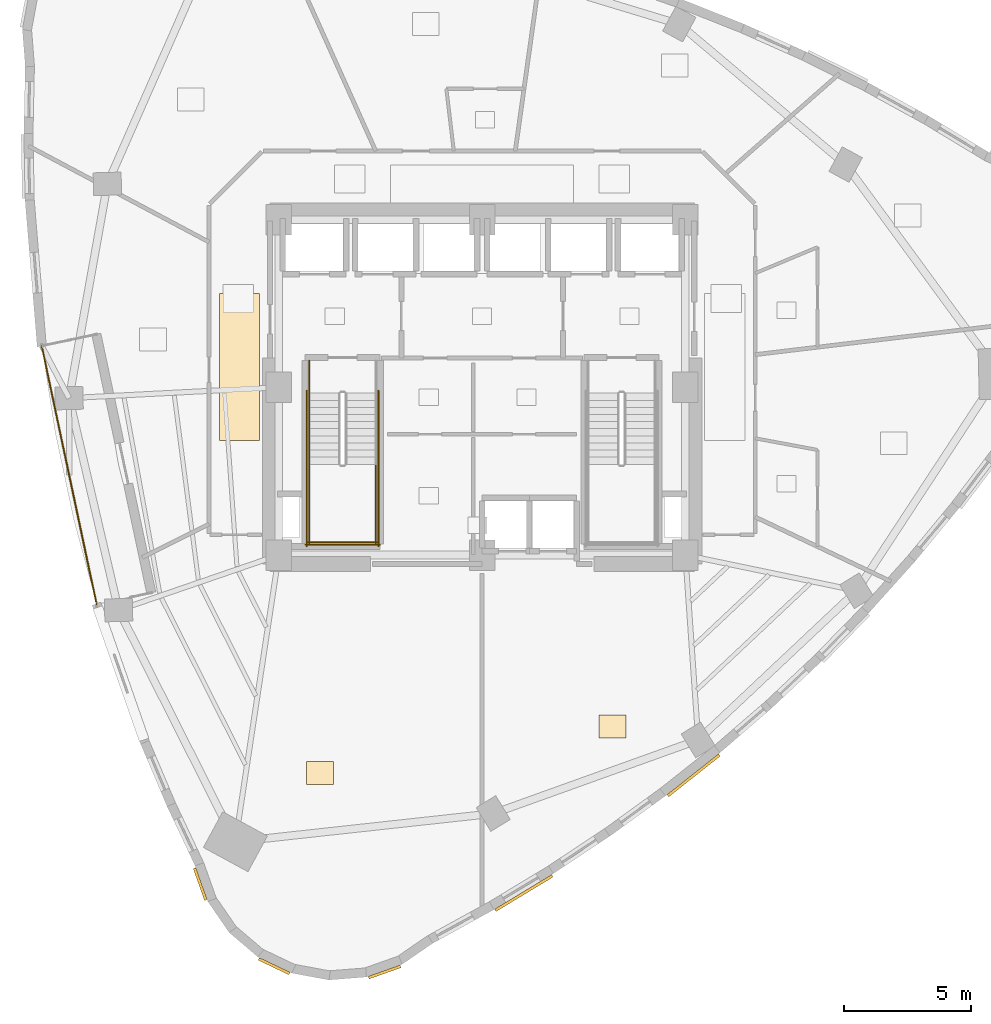
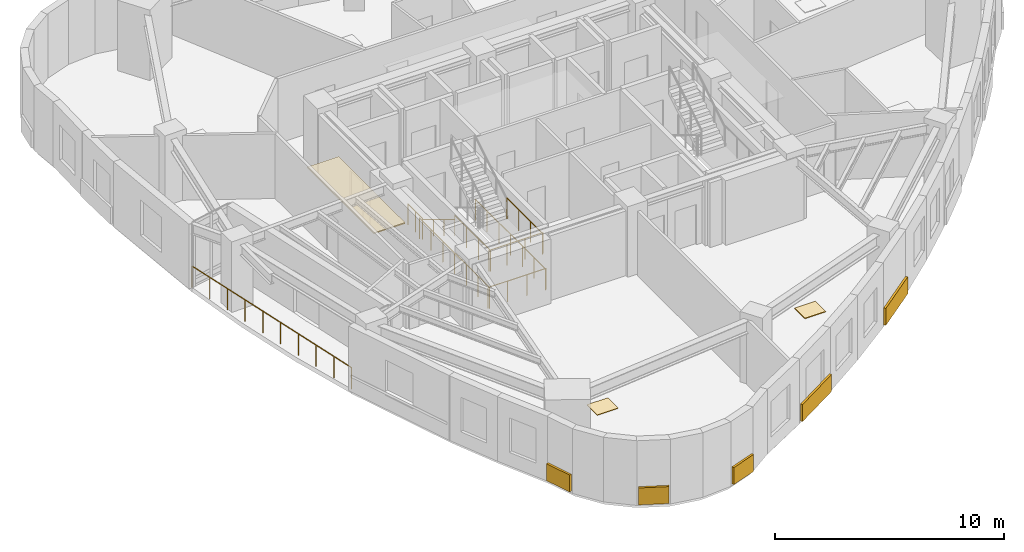
# One storey, part 10 of 12: 9 railings, 8 coverings.
"""IFC4 building model written with IfcOpenShell, lengths in metres."""

from ifc_helpers import new_model, si_unit, direction, frame, origin, origin_2d, place, context, subcontext, project, spatial, rectangle, circle, extrude, material, layer, layer_set, type_object, element, save


model = new_model("IFC4")

# Units and contexts
model_context = context("Model", 3, precision=1e-05, world=origin(), true_north=direction((0.0, 1.0)))
body_context = subcontext(model_context, "Body", "Model", "MODEL_VIEW")
ifc_project = project(units=[si_unit("LENGTHUNIT", "METRE"), si_unit("AREAUNIT", "SQUARE_METRE"), si_unit("VOLUMEUNIT", "CUBIC_METRE"), si_unit("PLANEANGLEUNIT", "RADIAN"), si_unit("MASSUNIT", "GRAM", prefix="KILO")], contexts=[model_context])

# Site, building, storey
site_placement = place(None, origin())
site = spatial("IfcSite", under=ifc_project, at=site_placement, CompositionType="ELEMENT")
building_placement = place(site_placement, origin())
building = spatial("IfcBuilding", under=site, at=building_placement, Name="Ndelora Gate Hotel", CompositionType="ELEMENT")
storey_placement = place(building_placement, frame((0.0, 0.0, 164.75)))
storey = spatial("IfcBuildingStorey", under=building, at=storey_placement, Name="L41", CompositionType="ELEMENT", Elevation=164.75)

# Coverings
ifc_material_1 = material(Name="Perforated Acoustic Gypsum Board", Category="gypsum")
ifc_layer_1 = layer(ifc_material_1, 0.054931640625)
ifc_layer_set_1 = layer_set([ifc_layer_1], Name="Perforated Acoustic Gypsum Board")
covering_type_1 = type_object("IfcCoveringType", Name="COV-CEIL-AC60", PredefinedType="CEILING", material=ifc_layer_set_1)
covering_1_placement = place(storey_placement, frame((-9.550048828125, 0.800048828125, 2.65234375), z_axis=(0.0, 0.0, 1.0), x_axis=(1.0, 0.0, 0.0)))
element("IfcCovering", 1, at=covering_1_placement, inside=storey, type_object=covering_type_1, Name="L41 Guest Corridor Acoustic Ceiling W", PredefinedType="CEILING", context=body_context, shape_type="SweptSolid", body=[
    extrude(rectangle(XDim=1.580078125, YDim=5.800048828125, at=origin_2d()), origin(), (0.0, 0.0, 1.0), 0.054931640625),
])
ifc_material_2 = material(Name="Terracotta Fired Clay Brick Slip Cladding", Category="masonry")
ifc_layer_2 = layer(ifc_material_2, 0.110107421875)
ifc_layer_set_2 = layer_set([ifc_layer_2], Name="Terracotta Fired Clay Brick Slip Cladding")
covering_type_2 = type_object("IfcCoveringType", Name="COV-CLAD-BRK", PredefinedType="CLADDING", material=ifc_layer_set_2)
for number, where, z_axis, x_axis, name in (
    (2, (-11.095703125, -19.550048828125, 0.10009765625), (0.0, 0.0, 1.0), (-0.333806859234, 0.942641491092, 0.0), "L41 Rounded-Corner Brick Cladding Band 19"),
    (3, (-8.18359375, -22.784423828125, 0.10009765625), (0.0, 0.0, 1.0), (-0.90258528435, 0.430511096808, 0.0), "L41 Rounded-Corner Brick Cladding Band 22"),
    (4, (-3.83740234375, -23.01220703125, 0.10009765625), (0.0, 0.0, 1.0), (0.942641491092, 0.333806859234, 0.0), "L41 Rounded-Corner Brick Cladding Band 25"),
):
    element("IfcCovering", number, at=place(storey_placement, frame(where, z_axis=z_axis, x_axis=x_axis)), inside=storey, type_object=covering_type_2, Name=name, PredefinedType="CLADDING", context=body_context, shape_type="SweptSolid", body=[
        extrude(rectangle(XDim=1.3359375, YDim=0.110107421875, at=origin_2d()), origin(), (0.0, 0.0, 1.0), 0.89990234375),
    ])
covering_2_placement = place(storey_placement, frame((1.642578125, -19.906005859375, 0.10009765625), z_axis=(0.0, 0.0, 1.0), x_axis=(0.855635381204, 0.517579070704, 0.0)))
element("IfcCovering", 5, at=covering_2_placement, inside=storey, type_object=covering_type_2, Name="L41 Rounded-Corner Brick Cladding Band 28", PredefinedType="CLADDING", context=body_context, shape_type="SweptSolid", body=[
    extrude(rectangle(XDim=2.6279296875, YDim=0.110107421875, at=origin_2d()), origin(), (0.0, 0.0, 1.0), 0.89990234375),
])
covering_3_placement = place(storey_placement, frame((8.324951171875, -15.2734375, 0.10009765625), z_axis=(0.0, 0.0, 1.0), x_axis=(0.784235212544, 0.620463642292, 0.0)))
element("IfcCovering", 6, at=covering_3_placement, inside=storey, type_object=covering_type_2, Name="L41 Rounded-Corner Brick Cladding Band 31", PredefinedType="CLADDING", context=body_context, shape_type="SweptSolid", body=[
    extrude(rectangle(XDim=2.583984375, YDim=0.110107421875, at=origin_2d()), origin(), (0.0, 0.0, 1.0), 0.89990234375),
])
ifc_material_3 = material(Name="Engineered Highland Oak Parquet", Category="wood")
ifc_layer_3 = layer(ifc_material_3, 0.030029296875)
ifc_layer_set_3 = layer_set([ifc_layer_3], Name="Engineered Highland Oak Parquet")
covering_type_3 = type_object("IfcCoveringType", Name="COV-FLR-PARQ", PredefinedType="FLOORING", material=ifc_layer_set_3)
for number, where, z_axis, x_axis, name in (
    (7, (-6.377197265625, -15.18408203125, 0.0), (0.0, 0.0, 1.0), (1.0, 0.0, 0.0), "L41 Executive Club Dining Room Oak Parquet Flooring"),
    (8, (5.130615234375, -13.35205078125, 0.0), (0.0, 0.0, 1.0), (1.0, 0.0, 0.0), "L41 Champagne Wine Bar Oak Parquet Flooring"),
):
    element("IfcCovering", number, at=place(storey_placement, frame(where, z_axis=z_axis, x_axis=x_axis)), inside=storey, type_object=covering_type_3, Name=name, PredefinedType="FLOORING", context=body_context, shape_type="SweptSolid", body=[
        extrude(rectangle(XDim=1.050048828125, YDim=0.89990234375, at=origin_2d()), origin(), (0.0, 0.0, 1.0), 0.030029296875),
    ])

# Railings
ifc_material_4 = material(Name="Laminated Safety Glass and Bronze Top Rail", Category="glass")
ifc_layer_4 = layer(ifc_material_4, 0.070068359375)
ifc_layer_set_4 = layer_set([ifc_layer_4], Name="Laminated Safety Glass and Bronze Top Rail")
railing_type_1 = type_object("IfcRailingType", Name="RL-BAL-1150", PredefinedType="BALUSTRADE", material=ifc_layer_set_4)
railing_1_placement = place(storey_placement, frame((-17.333740234375, 1.6318359375, 0.0)))
element("IfcRailing", 9, at=railing_1_placement, inside=storey, type_object=railing_type_1, Name="L41 Sky-Garden Loggia Terrace Balustrade", PredefinedType="BALUSTRADE", context=body_context, shape_type="SweptSolid", body=[
    extrude(circle(Radius=0.02392578125, at=origin_2d()), frame((0.0, 0.0, 1.1357421875), z_axis=(0.207916029829, -0.978146678438, 0.0), x_axis=(0.978146678438, 0.207916029829, 0.0)), (0.0, 0.0, 1.0), 10.400146484375),
    extrude(circle(Radius=0.02099609375, at=origin_2d()), origin(), (0.0, 0.0, 1.0), 1.11181640625),
    extrude(circle(Radius=0.02099609375, at=origin_2d()), frame((0.240234375, -1.13037109375, 0.0)), (0.0, 0.0, 1.0), 1.11181640625),
    extrude(circle(Radius=0.02099609375, at=origin_2d()), frame((0.48046875, -2.2607421875, 0.0)), (0.0, 0.0, 1.0), 1.11181640625),
    extrude(circle(Radius=0.02099609375, at=origin_2d()), frame((0.720703125, -3.390869140625, 0.0)), (0.0, 0.0, 1.0), 1.11181640625),
    extrude(circle(Radius=0.02099609375, at=origin_2d()), frame((0.9609375, -4.521240234375, 0.0)), (0.0, 0.0, 1.0), 1.11181640625),
    extrude(circle(Radius=0.02099609375, at=origin_2d()), frame((1.201416015625, -5.651611328125, 0.0)), (0.0, 0.0, 1.0), 1.11181640625),
    extrude(circle(Radius=0.02099609375, at=origin_2d()), frame((1.441650390625, -6.781982421875, 0.0)), (0.0, 0.0, 1.0), 1.11181640625),
    extrude(circle(Radius=0.02099609375, at=origin_2d()), frame((1.681884765625, -7.912109375, 0.0)), (0.0, 0.0, 1.0), 1.11181640625),
    extrude(circle(Radius=0.02099609375, at=origin_2d()), frame((1.922119140625, -9.04248046875, 0.0)), (0.0, 0.0, 1.0), 1.11181640625),
    extrude(circle(Radius=0.02099609375, at=origin_2d()), frame((2.162353515625, -10.1728515625, 0.0)), (0.0, 0.0, 1.0), 1.11181640625),
])
ifc_material_5 = material(Name="Painted Galvanized Steel Balustrade", Category="steel")
ifc_layer_5 = layer(ifc_material_5, 0.06005859375)
ifc_layer_set_5 = layer_set([ifc_layer_5], Name="Painted Galvanized Steel Balustrade")
railing_type_2 = type_object("IfcRailingType", Name="RL-STAIR-GD", PredefinedType="GUARDRAIL", material=ifc_layer_set_5)
for number, where, name in (
    (10, (-6.800048828125, -3.030029296875, 1.875), "L41 ST4 stair guard 3"),
    (11, (-4.179931640625, -3.030029296875, 1.875), "L41 ST4 stair guard 4"),
):
    element("IfcRailing", number, at=place(storey_placement, frame(where)), inside=storey, type_object=railing_type_2, Name=name, PredefinedType="GUARDRAIL", context=body_context, shape_type="SweptSolid", body=[
        extrude(circle(Radius=0.02392578125, at=origin_2d()), frame((0.0, 0.0, 1.10595703125), z_axis=(0.0, -1.0, 0.0), x_axis=(1.0, 0.0, 0.0)), (0.0, 0.0, 1.0), 3.119873046875),
        extrude(circle(Radius=0.02099609375, at=origin_2d()), origin(), (0.0, 0.0, 1.0), 1.081787109375),
        extrude(circle(Radius=0.02099609375, at=origin_2d()), frame((0.0, -1.0400390625, 0.0)), (0.0, 0.0, 1.0), 1.081787109375),
        extrude(circle(Radius=0.02099609375, at=origin_2d()), frame((0.0, -2.079833984375, 0.0)), (0.0, 0.0, 1.0), 1.081787109375),
        extrude(circle(Radius=0.02099609375, at=origin_2d()), frame((0.0, -3.119873046875, 0.0)), (0.0, 0.0, 1.0), 1.081787109375),
    ])
railing_2_placement = place(storey_placement, frame((-6.85009765625, -6.10009765625, 1.875)))
element("IfcRailing", 12, at=railing_2_placement, inside=storey, type_object=railing_type_2, Name="L41 ST4 stair guard 5", PredefinedType="GUARDRAIL", context=body_context, shape_type="SweptSolid", body=[
    extrude(circle(Radius=0.02392578125, at=origin_2d()), frame((0.0, 0.0, 1.10595703125), z_axis=(1.0, 0.0, 0.0), x_axis=(0.0, 1.0, 0.0)), (0.0, 0.0, 1.0), 2.72021484375),
    extrude(circle(Radius=0.02099609375, at=origin_2d()), origin(), (0.0, 0.0, 1.0), 1.081787109375),
    extrude(circle(Radius=0.02099609375, at=origin_2d()), frame((0.90673828125, 0.0, 0.0)), (0.0, 0.0, 1.0), 1.081787109375),
    extrude(circle(Radius=0.02099609375, at=origin_2d()), frame((1.8134765625, 0.0, 0.0)), (0.0, 0.0, 1.0), 1.081787109375),
    extrude(circle(Radius=0.02099609375, at=origin_2d()), frame((2.72021484375, 0.0, 0.0)), (0.0, 0.0, 1.0), 1.081787109375),
])
railing_3_placement = place(storey_placement, frame((-6.800048828125, 1.050048828125, 0.0)))
element("IfcRailing", 13, at=railing_3_placement, inside=storey, type_object=railing_type_2, Name="L41 ST4 stair guard 8", PredefinedType="GUARDRAIL", context=body_context, shape_type="SweptSolid", body=[
    extrude(circle(Radius=0.02392578125, at=origin_2d()), frame((0.0, 0.0, 1.10595703125), z_axis=(0.0, -1.0, 0.0), x_axis=(1.0, 0.0, 0.0)), (0.0, 0.0, 1.0), 1.280029296875),
    extrude(circle(Radius=0.02099609375, at=origin_2d()), origin(), (0.0, 0.0, 1.0), 1.081787109375),
    extrude(circle(Radius=0.02099609375, at=origin_2d()), frame((0.0, -0.64013671875, 0.0)), (0.0, 0.0, 1.0), 1.081787109375),
    extrude(circle(Radius=0.02099609375, at=origin_2d()), frame((0.0, -1.280029296875, 0.0)), (0.0, 0.0, 1.0), 1.081787109375),
])
for number, where, name in (
    (14, (-6.89990234375, -0.1298828125, 0.0), "L41 ST4 stair guard 10"),
    (15, (-4.080078125, -0.1298828125, 0.0), "L41 ST4 stair guard 11"),
):
    element("IfcRailing", number, at=place(storey_placement, frame(where)), inside=storey, type_object=railing_type_2, Name=name, PredefinedType="GUARDRAIL", context=body_context, shape_type="SweptSolid", body=[
        extrude(circle(Radius=0.02392578125, at=origin_2d()), frame((0.0, 0.0, 1.10595703125), z_axis=(0.0, -1.0, 0.0), x_axis=(1.0, 0.0, 0.0)), (0.0, 0.0, 1.0), 6.1201171875),
        extrude(circle(Radius=0.02099609375, at=origin_2d()), origin(), (0.0, 0.0, 1.0), 1.081787109375),
        extrude(circle(Radius=0.02099609375, at=origin_2d()), frame((0.0, -1.02001953125, 0.0)), (0.0, 0.0, 1.0), 1.081787109375),
        extrude(circle(Radius=0.02099609375, at=origin_2d()), frame((0.0, -2.0400390625, 0.0)), (0.0, 0.0, 1.0), 1.081787109375),
        extrude(circle(Radius=0.02099609375, at=origin_2d()), frame((0.0, -3.06005859375, 0.0)), (0.0, 0.0, 1.0), 1.081787109375),
        extrude(circle(Radius=0.02099609375, at=origin_2d()), frame((0.0, -4.080078125, 0.0)), (0.0, 0.0, 1.0), 1.081787109375),
        extrude(circle(Radius=0.02099609375, at=origin_2d()), frame((0.0, -5.10009765625, 0.0)), (0.0, 0.0, 1.0), 1.081787109375),
        extrude(circle(Radius=0.02099609375, at=origin_2d()), frame((0.0, -6.1201171875, 0.0)), (0.0, 0.0, 1.0), 1.081787109375),
    ])
railing_4_placement = place(storey_placement, frame((-6.949951171875, -6.199951171875, 0.0)))
element("IfcRailing", 16, at=railing_4_placement, inside=storey, type_object=railing_type_2, Name="L41 ST4 stair guard 12", PredefinedType="GUARDRAIL", context=body_context, shape_type="SweptSolid", body=[
    extrude(circle(Radius=0.02392578125, at=origin_2d()), frame((0.0, 0.0, 1.10595703125), z_axis=(1.0, 0.0, 0.0), x_axis=(0.0, 1.0, 0.0)), (0.0, 0.0, 1.0), 2.919921875),
    extrude(circle(Radius=0.02099609375, at=origin_2d()), origin(), (0.0, 0.0, 1.0), 1.081787109375),
    extrude(circle(Radius=0.02099609375, at=origin_2d()), frame((0.973388671875, 0.0, 0.0)), (0.0, 0.0, 1.0), 1.081787109375),
    extrude(circle(Radius=0.02099609375, at=origin_2d()), frame((1.946533203125, 0.0, 0.0)), (0.0, 0.0, 1.0), 1.081787109375),
    extrude(circle(Radius=0.02099609375, at=origin_2d()), frame((2.919921875, 0.0, 0.0)), (0.0, 0.0, 1.0), 1.081787109375),
])
ifc_material_6 = material(Name="Brushed Stainless Steel 316", Category="steel")
ifc_layer_6 = layer(ifc_material_6, 0.050048828125)
ifc_layer_set_6 = layer_set([ifc_layer_6], Name="Brushed Stainless Steel 316")
railing_type_3 = type_object("IfcRailingType", Name="RL-STAIR-HR", PredefinedType="HANDRAIL", material=ifc_layer_set_6)
railing_5_placement = place(storey_placement, frame((-6.800048828125, -0.22998046875, 0.17041015625)))
element("IfcRailing", 17, at=railing_5_placement, inside=storey, type_object=railing_type_3, Name="L41 ST4 stair handrail 1", PredefinedType="HANDRAIL", context=body_context, shape_type="SweptSolid", body=[
    extrude(circle(Radius=0.02392578125, at=origin_2d()), frame((0.0, 0.0, 0.8759765625), z_axis=(0.0, -0.854169791009, 0.51999420009), x_axis=(1.0, 0.0, 0.0)), (0.0, 0.0, 1.0), 3.278076171875),
    extrude(circle(Radius=0.02099609375, at=origin_2d()), origin(), (0.0, 0.0, 1.0), 0.851806640625),
    extrude(circle(Radius=0.02099609375, at=origin_2d()), frame((0.0, -0.933349609375, 0.568115234375)), (0.0, 0.0, 1.0), 0.851806640625),
    extrude(circle(Radius=0.02099609375, at=origin_2d()), frame((0.0, -1.86669921875, 1.136474609375)), (0.0, 0.0, 1.0), 0.851806640625),
    extrude(circle(Radius=0.02099609375, at=origin_2d()), frame((0.0, -2.800048828125, 1.70458984375)), (0.0, 0.0, 1.0), 0.851806640625),
])

save(model, "model.ifc")
